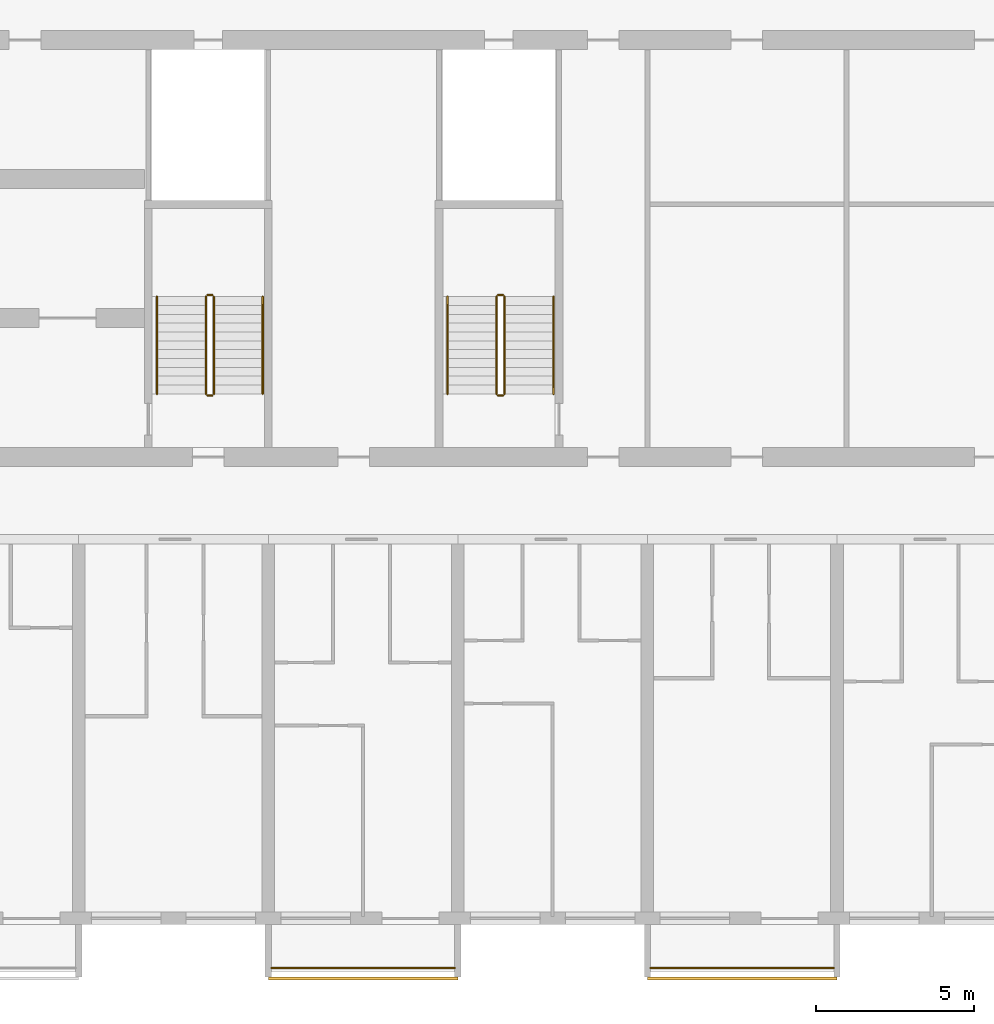
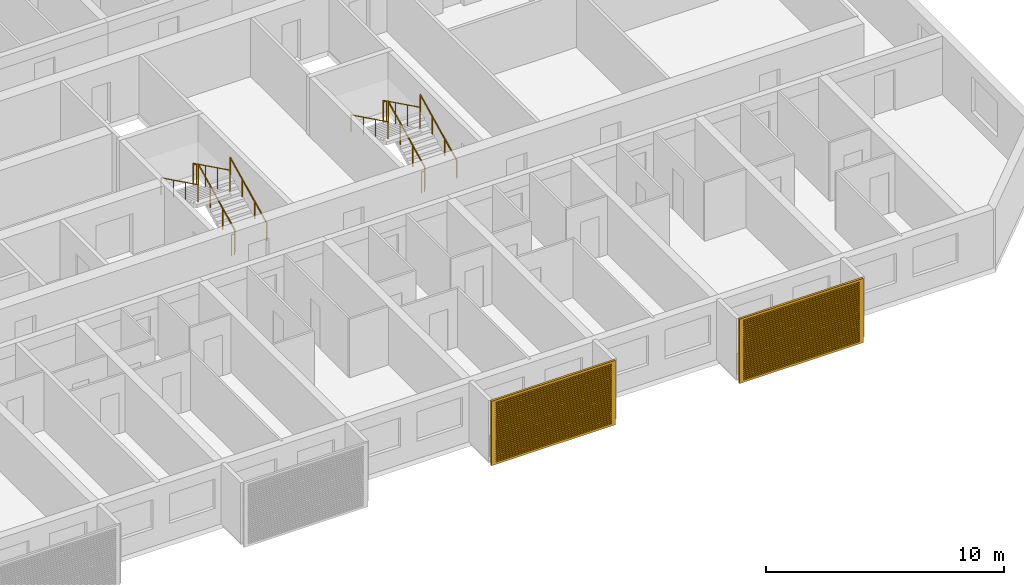
# One storey, part 30 of 38: 14 railings, 2 shading devices.
"""IFC4 building model written with IfcOpenShell, lengths in metres."""

from ifc_helpers import new_model, si_unit, direction, frame, origin, origin_2d, place, context, subcontext, project, spatial, polyline, circle, outline, extrude, source, transform, mapped, material, material_profile, profile_set, type_object, element, save


model = new_model("IFC4")

# Units and contexts
model_context = context("Model", 3, precision=1e-05, world=origin(), true_north=direction((0.0, 1.0)))
body_context = subcontext(model_context, "Body", "Model", "MODEL_VIEW")
ifc_project = project(units=[si_unit("LENGTHUNIT", "METRE"), si_unit("AREAUNIT", "SQUARE_METRE"), si_unit("VOLUMEUNIT", "CUBIC_METRE"), si_unit("PLANEANGLEUNIT", "RADIAN"), si_unit("MASSUNIT", "GRAM", prefix="KILO")], contexts=[model_context])

# Site, building, storey
site_placement = place(None, origin())
site = spatial("IfcSite", under=ifc_project, at=site_placement, CompositionType="ELEMENT")
building_placement = place(site_placement, origin())
building = spatial("IfcBuilding", under=site, at=building_placement, Name="Poui Terraces", CompositionType="ELEMENT")
storey_placement = place(building_placement, frame((0.0, 0.0, 49.800048828125)))
storey = spatial("IfcBuildingStorey", under=building, at=storey_placement, Name="L13", CompositionType="ELEMENT", Elevation=49.800048828125)

# Railings
ifc_material_1 = material(Name="Painted steel fretwork", Category="steel")
railing_type_1 = type_object("IfcRailingType", Name="BALCONY GUARD 1100", PredefinedType="GUARDRAIL", material=ifc_material_1)
for number, where, name in (
    (1, (72.10009765625, -1.570068359375, 0.0), "BALCONY GUARD"),
    (2, (84.10009765625, -1.570068359375, 0.0), "BALCONY GUARD"),
):
    element("IfcRailing", number, at=place(storey_placement, frame(where)), inside=storey, type_object=railing_type_1, Name=name, PredefinedType="GUARDRAIL", context=body_context, shape_type="SweptSolid", body=[
        extrude(circle(Radius=0.02392578125, at=origin_2d()), frame((0.0, 0.0, 1.076171875), z_axis=(1.0, 0.0, 0.0), x_axis=(0.0, 1.0, 0.0)), (0.0, 0.0, 1.0), 5.7998046875),
        extrude(circle(Radius=0.02099609375, at=origin_2d()), origin(), (0.0, 0.0, 1.0), 1.052001953125),
        extrude(circle(Radius=0.02099609375, at=origin_2d()), frame((0.966552734375, 0.0, 0.0)), (0.0, 0.0, 1.0), 1.052001953125),
        extrude(circle(Radius=0.02099609375, at=origin_2d()), frame((1.933349609375, 0.0, 0.0)), (0.0, 0.0, 1.0), 1.052001953125),
        extrude(circle(Radius=0.02099609375, at=origin_2d()), frame((2.89990234375, 0.0, 0.0)), (0.0, 0.0, 1.0), 1.052001953125),
        extrude(circle(Radius=0.02099609375, at=origin_2d()), frame((3.866455078125, 0.0, 0.0)), (0.0, 0.0, 1.0), 1.052001953125),
        extrude(circle(Radius=0.02099609375, at=origin_2d()), frame((4.833251953125, 0.0, 0.0)), (0.0, 0.0, 1.0), 1.052001953125),
        extrude(circle(Radius=0.02099609375, at=origin_2d()), frame((5.7998046875, 0.0, 0.0)), (0.0, 0.0, 1.0), 1.052001953125),
    ])
ifc_material_2 = material(Name="Galvanised steel balustrade", Category="steel")
railing_type_2 = type_object("IfcRailingType", Name="STAIR GUARD 1100", PredefinedType="GUARDRAIL", material=ifc_material_2)
railing_1_placement = place(storey_placement, frame((70.27490234375, 16.60009765625, 0.137451171875)))
element("IfcRailing", 3, at=railing_1_placement, inside=storey, type_object=railing_type_2, Name="L13 ST-CE stair guard 1", PredefinedType="GUARDRAIL", context=body_context, shape_type="SweptSolid", body=[
    extrude(circle(Radius=0.02392578125, at=origin_2d()), frame((0.0, 0.0, 1.076171875), z_axis=(0.0, 0.897606190399, 0.440798283751), x_axis=(-1.0, 0.0, 0.0)), (0.0, 0.0, 1.0), 3.43115234375),
    extrude(circle(Radius=0.02099609375, at=origin_2d()), origin(), (0.0, 0.0, 1.0), 1.052001953125),
    extrude(circle(Radius=0.02099609375, at=origin_2d()), frame((0.0, 1.026611328125, 0.504150390625)), (0.0, 0.0, 1.0), 1.052001953125),
    extrude(circle(Radius=0.02099609375, at=origin_2d()), frame((0.0, 2.05322265625, 1.00830078125)), (0.0, 0.0, 1.0), 1.052001953125),
    extrude(circle(Radius=0.02099609375, at=origin_2d()), frame((0.0, 3.079833984375, 1.512451171875)), (0.0, 0.0, 1.0), 1.052001953125),
])
railing_2_placement = place(storey_placement, frame((70.22509765625, 19.72998046875, 1.64990234375)))
element("IfcRailing", 4, at=railing_2_placement, inside=storey, type_object=railing_type_2, Name="L13 ST-CE stair guard 2", PredefinedType="GUARDRAIL", context=body_context, shape_type="SweptSolid", body=[
    extrude(circle(Radius=0.02392578125, at=origin_2d()), frame((0.0, 0.0, 1.076171875), z_axis=(-1.0, 0.0, 0.0), x_axis=(0.0, -1.0, 0.0)), (0.0, 0.0, 1.0), 0.150146484375),
    extrude(circle(Radius=0.02099609375, at=origin_2d()), origin(), (0.0, 0.0, 1.0), 1.052001953125),
    extrude(circle(Radius=0.02099609375, at=origin_2d()), frame((-0.150146484375, 0.0, 0.0)), (0.0, 0.0, 1.0), 1.052001953125),
])
railing_3_placement = place(storey_placement, frame((70.02490234375, 19.679931640625, 1.787353515625)))
element("IfcRailing", 5, at=railing_3_placement, inside=storey, type_object=railing_type_2, Name="L13 ST-CE stair guard 3", PredefinedType="GUARDRAIL", context=body_context, shape_type="SweptSolid", body=[
    extrude(circle(Radius=0.02392578125, at=origin_2d()), frame((0.0, 0.0, 1.076171875), z_axis=(0.0, -0.897578036475, 0.440855609512), x_axis=(1.0, 0.0, 0.0)), (0.0, 0.0, 1.0), 3.43115234375),
    extrude(circle(Radius=0.02099609375, at=origin_2d()), origin(), (0.0, 0.0, 1.0), 1.052001953125),
    extrude(circle(Radius=0.02099609375, at=origin_2d()), frame((0.0, -1.026611328125, 0.504150390625)), (0.0, 0.0, 1.0), 1.052001953125),
    extrude(circle(Radius=0.02099609375, at=origin_2d()), frame((0.0, -2.05322265625, 1.008544921875)), (0.0, 0.0, 1.0), 1.052001953125),
    extrude(circle(Radius=0.02099609375, at=origin_2d()), frame((0.0, -3.079833984375, 1.5126953125)), (0.0, 0.0, 1.0), 1.052001953125),
])
railing_4_placement = place(storey_placement, frame((70.22509765625, 16.550048828125, 0.0)))
element("IfcRailing", 6, at=railing_4_placement, inside=storey, type_object=railing_type_2, Name="L13 ST-CE stair guard 4", PredefinedType="GUARDRAIL", context=body_context, shape_type="SweptSolid", body=[
    extrude(circle(Radius=0.02392578125, at=origin_2d()), frame((0.0, 0.0, 1.076171875), z_axis=(-1.0, 0.0, 0.0), x_axis=(0.0, -1.0, 0.0)), (0.0, 0.0, 1.0), 0.150146484375),
    extrude(circle(Radius=0.02099609375, at=origin_2d()), origin(), (0.0, 0.0, 1.0), 1.052001953125),
    extrude(circle(Radius=0.02099609375, at=origin_2d()), frame((-0.150146484375, 0.0, 0.0)), (0.0, 0.0, 1.0), 1.052001953125),
])
railing_5_placement = place(storey_placement, frame((79.47509765625, 16.60009765625, 0.137451171875)))
element("IfcRailing", 7, at=railing_5_placement, inside=storey, type_object=railing_type_2, Name="L13 ST-E stair guard 1", PredefinedType="GUARDRAIL", context=body_context, shape_type="SweptSolid", body=[
    extrude(circle(Radius=0.02392578125, at=origin_2d()), frame((0.0, 0.0, 1.076171875), z_axis=(0.0, 0.897606190399, 0.440798283751), x_axis=(-1.0, 0.0, 0.0)), (0.0, 0.0, 1.0), 3.43115234375),
    extrude(circle(Radius=0.02099609375, at=origin_2d()), origin(), (0.0, 0.0, 1.0), 1.052001953125),
    extrude(circle(Radius=0.02099609375, at=origin_2d()), frame((0.0, 1.026611328125, 0.504150390625)), (0.0, 0.0, 1.0), 1.052001953125),
    extrude(circle(Radius=0.02099609375, at=origin_2d()), frame((0.0, 2.05322265625, 1.00830078125)), (0.0, 0.0, 1.0), 1.052001953125),
    extrude(circle(Radius=0.02099609375, at=origin_2d()), frame((0.0, 3.079833984375, 1.512451171875)), (0.0, 0.0, 1.0), 1.052001953125),
])
railing_6_placement = place(storey_placement, frame((79.425048828125, 19.72998046875, 1.64990234375)))
element("IfcRailing", 8, at=railing_6_placement, inside=storey, type_object=railing_type_2, Name="L13 ST-E stair guard 2", PredefinedType="GUARDRAIL", context=body_context, shape_type="SweptSolid", body=[
    extrude(circle(Radius=0.02392578125, at=origin_2d()), frame((0.0, 0.0, 1.076171875), z_axis=(-1.0, 0.0, 0.0), x_axis=(0.0, -1.0, 0.0)), (0.0, 0.0, 1.0), 0.150146484375),
    extrude(circle(Radius=0.02099609375, at=origin_2d()), origin(), (0.0, 0.0, 1.0), 1.052001953125),
    extrude(circle(Radius=0.02099609375, at=origin_2d()), frame((-0.150146484375, 0.0, 0.0)), (0.0, 0.0, 1.0), 1.052001953125),
])
railing_7_placement = place(storey_placement, frame((79.22509765625, 19.679931640625, 1.787353515625)))
element("IfcRailing", 9, at=railing_7_placement, inside=storey, type_object=railing_type_2, Name="L13 ST-E stair guard 3", PredefinedType="GUARDRAIL", context=body_context, shape_type="SweptSolid", body=[
    extrude(circle(Radius=0.02392578125, at=origin_2d()), frame((0.0, 0.0, 1.076171875), z_axis=(0.0, -0.897578036475, 0.440855609512), x_axis=(1.0, 0.0, 0.0)), (0.0, 0.0, 1.0), 3.43115234375),
    extrude(circle(Radius=0.02099609375, at=origin_2d()), origin(), (0.0, 0.0, 1.0), 1.052001953125),
    extrude(circle(Radius=0.02099609375, at=origin_2d()), frame((0.0, -1.026611328125, 0.504150390625)), (0.0, 0.0, 1.0), 1.052001953125),
    extrude(circle(Radius=0.02099609375, at=origin_2d()), frame((0.0, -2.05322265625, 1.008544921875)), (0.0, 0.0, 1.0), 1.052001953125),
    extrude(circle(Radius=0.02099609375, at=origin_2d()), frame((0.0, -3.079833984375, 1.5126953125)), (0.0, 0.0, 1.0), 1.052001953125),
])
railing_8_placement = place(storey_placement, frame((79.425048828125, 16.550048828125, 0.0)))
element("IfcRailing", 10, at=railing_8_placement, inside=storey, type_object=railing_type_2, Name="L13 ST-E stair guard 4", PredefinedType="GUARDRAIL", context=body_context, shape_type="SweptSolid", body=[
    extrude(circle(Radius=0.02392578125, at=origin_2d()), frame((0.0, 0.0, 1.076171875), z_axis=(-1.0, 0.0, 0.0), x_axis=(0.0, -1.0, 0.0)), (0.0, 0.0, 1.0), 0.150146484375),
    extrude(circle(Radius=0.02099609375, at=origin_2d()), origin(), (0.0, 0.0, 1.0), 1.052001953125),
    extrude(circle(Radius=0.02099609375, at=origin_2d()), frame((-0.150146484375, 0.0, 0.0)), (0.0, 0.0, 1.0), 1.052001953125),
])
ifc_material_3 = material(Name="Stainless steel handrail", Category="steel")
railing_type_3 = type_object("IfcRailingType", Name="STAIR HANDRAIL 900", PredefinedType="HANDRAIL", material=ifc_material_3)
railing_9_placement = place(storey_placement, frame((71.824951171875, 16.60009765625, 0.137451171875)))
element("IfcRailing", 11, at=railing_9_placement, inside=storey, type_object=railing_type_3, Name="L13 ST-CE stair handrail 1", PredefinedType="HANDRAIL", context=body_context, shape_type="SweptSolid", body=[
    extrude(circle(Radius=0.02392578125, at=origin_2d()), frame((0.0, 0.0, 0.8759765625), z_axis=(0.0, 0.897606190399, 0.440798283751), x_axis=(-1.0, 0.0, 0.0)), (0.0, 0.0, 1.0), 3.43115234375),
    extrude(circle(Radius=0.02099609375, at=origin_2d()), origin(), (0.0, 0.0, 1.0), 0.851806640625),
    extrude(circle(Radius=0.02099609375, at=origin_2d()), frame((0.0, 1.026611328125, 0.504150390625)), (0.0, 0.0, 1.0), 0.851806640625),
    extrude(circle(Radius=0.02099609375, at=origin_2d()), frame((0.0, 2.05322265625, 1.00830078125)), (0.0, 0.0, 1.0), 0.851806640625),
    extrude(circle(Radius=0.02099609375, at=origin_2d()), frame((0.0, 3.079833984375, 1.512451171875)), (0.0, 0.0, 1.0), 0.851806640625),
])
railing_10_placement = place(storey_placement, frame((68.47509765625, 19.679931640625, 1.787353515625)))
element("IfcRailing", 12, at=railing_10_placement, inside=storey, type_object=railing_type_3, Name="L13 ST-CE stair handrail 2", PredefinedType="HANDRAIL", context=body_context, shape_type="SweptSolid", body=[
    extrude(circle(Radius=0.02392578125, at=origin_2d()), frame((0.0, 0.0, 0.8759765625), z_axis=(0.0, -0.897578036475, 0.440855609512), x_axis=(1.0, 0.0, 0.0)), (0.0, 0.0, 1.0), 3.43115234375),
    extrude(circle(Radius=0.02099609375, at=origin_2d()), origin(), (0.0, 0.0, 1.0), 0.851806640625),
    extrude(circle(Radius=0.02099609375, at=origin_2d()), frame((0.0, -1.026611328125, 0.504150390625)), (0.0, 0.0, 1.0), 0.851806640625),
    extrude(circle(Radius=0.02099609375, at=origin_2d()), frame((0.0, -2.05322265625, 1.008544921875)), (0.0, 0.0, 1.0), 0.851806640625),
    extrude(circle(Radius=0.02099609375, at=origin_2d()), frame((0.0, -3.079833984375, 1.5126953125)), (0.0, 0.0, 1.0), 0.851806640625),
])
railing_11_placement = place(storey_placement, frame((81.02490234375, 16.60009765625, 0.137451171875)))
element("IfcRailing", 13, at=railing_11_placement, inside=storey, type_object=railing_type_3, Name="L13 ST-E stair handrail 1", PredefinedType="HANDRAIL", context=body_context, shape_type="SweptSolid", body=[
    extrude(circle(Radius=0.02392578125, at=origin_2d()), frame((0.0, 0.0, 0.8759765625), z_axis=(0.0, 0.897606190399, 0.440798283751), x_axis=(-1.0, 0.0, 0.0)), (0.0, 0.0, 1.0), 3.43115234375),
    extrude(circle(Radius=0.02099609375, at=origin_2d()), origin(), (0.0, 0.0, 1.0), 0.851806640625),
    extrude(circle(Radius=0.02099609375, at=origin_2d()), frame((0.0, 1.026611328125, 0.504150390625)), (0.0, 0.0, 1.0), 0.851806640625),
    extrude(circle(Radius=0.02099609375, at=origin_2d()), frame((0.0, 2.05322265625, 1.00830078125)), (0.0, 0.0, 1.0), 0.851806640625),
    extrude(circle(Radius=0.02099609375, at=origin_2d()), frame((0.0, 3.079833984375, 1.512451171875)), (0.0, 0.0, 1.0), 0.851806640625),
])
railing_12_placement = place(storey_placement, frame((77.675048828125, 19.679931640625, 1.787353515625)))
element("IfcRailing", 14, at=railing_12_placement, inside=storey, type_object=railing_type_3, Name="L13 ST-E stair handrail 2", PredefinedType="HANDRAIL", context=body_context, shape_type="SweptSolid", body=[
    extrude(circle(Radius=0.02392578125, at=origin_2d()), frame((0.0, 0.0, 0.8759765625), z_axis=(0.0, -0.897578036475, 0.440855609512), x_axis=(1.0, 0.0, 0.0)), (0.0, 0.0, 1.0), 3.43115234375),
    extrude(circle(Radius=0.02099609375, at=origin_2d()), origin(), (0.0, 0.0, 1.0), 0.851806640625),
    extrude(circle(Radius=0.02099609375, at=origin_2d()), frame((0.0, -1.026611328125, 0.504150390625)), (0.0, 0.0, 1.0), 0.851806640625),
    extrude(circle(Radius=0.02099609375, at=origin_2d()), frame((0.0, -2.05322265625, 1.008544921875)), (0.0, 0.0, 1.0), 0.851806640625),
    extrude(circle(Radius=0.02099609375, at=origin_2d()), frame((0.0, -3.079833984375, 1.5126953125)), (0.0, 0.0, 1.0), 0.851806640625),
])

# Shading devices
ifc_material_4 = material(Name="Aluminium louvre", Category="aluminium")
ifc_material_profile = material_profile(ifc_material_4, outline(polyline([(-3.0, -1.64990234375), (3.0, -1.64990234375), (3.0, 1.64990234375), (-3.0, 1.64990234375), (-3.0, -1.64990234375)]), holes=[polyline([(-2.800048828125, -1.530029296875), (2.800048828125, -1.530029296875), (2.800048828125, -1.469970703125), (-2.800048828125, -1.469970703125), (-2.800048828125, -1.530029296875)]), polyline([(-2.800048828125, -1.429931640625), (2.800048828125, -1.429931640625), (2.800048828125, -1.3701171875), (-2.800048828125, -1.3701171875), (-2.800048828125, -1.429931640625)]), polyline([(-2.800048828125, -1.330078125), (2.800048828125, -1.330078125), (2.800048828125, -1.27001953125), (-2.800048828125, -1.27001953125), (-2.800048828125, -1.330078125)]), polyline([(-2.800048828125, -1.22998046875), (2.800048828125, -1.22998046875), (2.800048828125, -1.169921875), (-2.800048828125, -1.169921875), (-2.800048828125, -1.22998046875)]), polyline([(-2.800048828125, -1.1298828125), (2.800048828125, -1.1298828125), (2.800048828125, -1.070068359375), (-2.800048828125, -1.070068359375), (-2.800048828125, -1.1298828125)]), polyline([(-2.800048828125, -1.030029296875), (2.800048828125, -1.030029296875), (2.800048828125, -0.969970703125), (-2.800048828125, -0.969970703125), (-2.800048828125, -1.030029296875)]), polyline([(-2.800048828125, -0.929931640625), (2.800048828125, -0.929931640625), (2.800048828125, -0.8701171875), (-2.800048828125, -0.8701171875), (-2.800048828125, -0.929931640625)]), polyline([(-2.800048828125, -0.830078125), (2.800048828125, -0.830078125), (2.800048828125, -0.77001953125), (-2.800048828125, -0.77001953125), (-2.800048828125, -0.830078125)]), polyline([(-2.800048828125, -0.72998046875), (2.800048828125, -0.72998046875), (2.800048828125, -0.669921875), (-2.800048828125, -0.669921875), (-2.800048828125, -0.72998046875)]), polyline([(-2.800048828125, -0.6298828125), (2.800048828125, -0.6298828125), (2.800048828125, -0.570068359375), (-2.800048828125, -0.570068359375), (-2.800048828125, -0.6298828125)]), polyline([(-2.800048828125, -0.530029296875), (2.800048828125, -0.530029296875), (2.800048828125, -0.469970703125), (-2.800048828125, -0.469970703125), (-2.800048828125, -0.530029296875)]), polyline([(-2.800048828125, -0.429931640625), (2.800048828125, -0.429931640625), (2.800048828125, -0.3701171875), (-2.800048828125, -0.3701171875), (-2.800048828125, -0.429931640625)]), polyline([(-2.800048828125, -0.330078125), (2.800048828125, -0.330078125), (2.800048828125, -0.27001953125), (-2.800048828125, -0.27001953125), (-2.800048828125, -0.330078125)]), polyline([(-2.800048828125, -0.22998046875), (2.800048828125, -0.22998046875), (2.800048828125, -0.169921875), (-2.800048828125, -0.169921875), (-2.800048828125, -0.22998046875)]), polyline([(-2.800048828125, -0.1298828125), (2.800048828125, -0.1298828125), (2.800048828125, -0.070068359375), (-2.800048828125, -0.070068359375), (-2.800048828125, -0.1298828125)]), polyline([(-2.800048828125, -0.030029296875), (2.800048828125, -0.030029296875), (2.800048828125, 0.030029296875), (-2.800048828125, 0.030029296875), (-2.800048828125, -0.030029296875)]), polyline([(-2.800048828125, 0.070068359375), (2.800048828125, 0.070068359375), (2.800048828125, 0.1298828125), (-2.800048828125, 0.1298828125), (-2.800048828125, 0.070068359375)]), polyline([(-2.800048828125, 0.169921875), (2.800048828125, 0.169921875), (2.800048828125, 0.22998046875), (-2.800048828125, 0.22998046875), (-2.800048828125, 0.169921875)]), polyline([(-2.800048828125, 0.27001953125), (2.800048828125, 0.27001953125), (2.800048828125, 0.330078125), (-2.800048828125, 0.330078125), (-2.800048828125, 0.27001953125)]), polyline([(-2.800048828125, 0.3701171875), (2.800048828125, 0.3701171875), (2.800048828125, 0.429931640625), (-2.800048828125, 0.429931640625), (-2.800048828125, 0.3701171875)]), polyline([(-2.800048828125, 0.469970703125), (2.800048828125, 0.469970703125), (2.800048828125, 0.530029296875), (-2.800048828125, 0.530029296875), (-2.800048828125, 0.469970703125)]), polyline([(-2.800048828125, 0.570068359375), (2.800048828125, 0.570068359375), (2.800048828125, 0.6298828125), (-2.800048828125, 0.6298828125), (-2.800048828125, 0.570068359375)]), polyline([(-2.800048828125, 0.669921875), (2.800048828125, 0.669921875), (2.800048828125, 0.72998046875), (-2.800048828125, 0.72998046875), (-2.800048828125, 0.669921875)]), polyline([(-2.800048828125, 0.77001953125), (2.800048828125, 0.77001953125), (2.800048828125, 0.830078125), (-2.800048828125, 0.830078125), (-2.800048828125, 0.77001953125)]), polyline([(-2.800048828125, 0.8701171875), (2.800048828125, 0.8701171875), (2.800048828125, 0.929931640625), (-2.800048828125, 0.929931640625), (-2.800048828125, 0.8701171875)]), polyline([(-2.800048828125, 0.969970703125), (2.800048828125, 0.969970703125), (2.800048828125, 1.030029296875), (-2.800048828125, 1.030029296875), (-2.800048828125, 0.969970703125)]), polyline([(-2.800048828125, 1.070068359375), (2.800048828125, 1.070068359375), (2.800048828125, 1.1298828125), (-2.800048828125, 1.1298828125), (-2.800048828125, 1.070068359375)]), polyline([(-2.800048828125, 1.169921875), (2.800048828125, 1.169921875), (2.800048828125, 1.22998046875), (-2.800048828125, 1.22998046875), (-2.800048828125, 1.169921875)]), polyline([(-2.800048828125, 1.27001953125), (2.800048828125, 1.27001953125), (2.800048828125, 1.330078125), (-2.800048828125, 1.330078125), (-2.800048828125, 1.27001953125)]), polyline([(-2.800048828125, 1.3701171875), (2.800048828125, 1.3701171875), (2.800048828125, 1.429931640625), (-2.800048828125, 1.429931640625), (-2.800048828125, 1.3701171875)]), polyline([(-2.800048828125, 1.469970703125), (2.800048828125, 1.469970703125), (2.800048828125, 1.530029296875), (-2.800048828125, 1.530029296875), (-2.800048828125, 1.469970703125)])]), Name="JALOUSIE LOUVRE SHUTTER 6000X3300")
ifc_profile_set = profile_set([ifc_material_profile], Name="Aluminium louvre")
shading_device_type = type_object("IfcShadingDeviceType", Name="JALOUSIE LOUVRE SHUTTER 6000X3300", PredefinedType="JALOUSIE", material=ifc_profile_set)
shared_shape = source(origin(), body_context, "Body", "SweptSolid", [
    extrude(outline(polyline([(-3.0, -1.64990234375), (3.0, -1.64990234375), (3.0, 1.64990234375), (-3.0, 1.64990234375), (-3.0, -1.64990234375)]), holes=[polyline([(-2.800048828125, -1.530029296875), (2.800048828125, -1.530029296875), (2.800048828125, -1.469970703125), (-2.800048828125, -1.469970703125), (-2.800048828125, -1.530029296875)]), polyline([(-2.800048828125, -1.429931640625), (2.800048828125, -1.429931640625), (2.800048828125, -1.3701171875), (-2.800048828125, -1.3701171875), (-2.800048828125, -1.429931640625)]), polyline([(-2.800048828125, -1.330078125), (2.800048828125, -1.330078125), (2.800048828125, -1.27001953125), (-2.800048828125, -1.27001953125), (-2.800048828125, -1.330078125)]), polyline([(-2.800048828125, -1.22998046875), (2.800048828125, -1.22998046875), (2.800048828125, -1.169921875), (-2.800048828125, -1.169921875), (-2.800048828125, -1.22998046875)]), polyline([(-2.800048828125, -1.1298828125), (2.800048828125, -1.1298828125), (2.800048828125, -1.070068359375), (-2.800048828125, -1.070068359375), (-2.800048828125, -1.1298828125)]), polyline([(-2.800048828125, -1.030029296875), (2.800048828125, -1.030029296875), (2.800048828125, -0.969970703125), (-2.800048828125, -0.969970703125), (-2.800048828125, -1.030029296875)]), polyline([(-2.800048828125, -0.929931640625), (2.800048828125, -0.929931640625), (2.800048828125, -0.8701171875), (-2.800048828125, -0.8701171875), (-2.800048828125, -0.929931640625)]), polyline([(-2.800048828125, -0.830078125), (2.800048828125, -0.830078125), (2.800048828125, -0.77001953125), (-2.800048828125, -0.77001953125), (-2.800048828125, -0.830078125)]), polyline([(-2.800048828125, -0.72998046875), (2.800048828125, -0.72998046875), (2.800048828125, -0.669921875), (-2.800048828125, -0.669921875), (-2.800048828125, -0.72998046875)]), polyline([(-2.800048828125, -0.6298828125), (2.800048828125, -0.6298828125), (2.800048828125, -0.570068359375), (-2.800048828125, -0.570068359375), (-2.800048828125, -0.6298828125)]), polyline([(-2.800048828125, -0.530029296875), (2.800048828125, -0.530029296875), (2.800048828125, -0.469970703125), (-2.800048828125, -0.469970703125), (-2.800048828125, -0.530029296875)]), polyline([(-2.800048828125, -0.429931640625), (2.800048828125, -0.429931640625), (2.800048828125, -0.3701171875), (-2.800048828125, -0.3701171875), (-2.800048828125, -0.429931640625)]), polyline([(-2.800048828125, -0.330078125), (2.800048828125, -0.330078125), (2.800048828125, -0.27001953125), (-2.800048828125, -0.27001953125), (-2.800048828125, -0.330078125)]), polyline([(-2.800048828125, -0.22998046875), (2.800048828125, -0.22998046875), (2.800048828125, -0.169921875), (-2.800048828125, -0.169921875), (-2.800048828125, -0.22998046875)]), polyline([(-2.800048828125, -0.1298828125), (2.800048828125, -0.1298828125), (2.800048828125, -0.070068359375), (-2.800048828125, -0.070068359375), (-2.800048828125, -0.1298828125)]), polyline([(-2.800048828125, -0.030029296875), (2.800048828125, -0.030029296875), (2.800048828125, 0.030029296875), (-2.800048828125, 0.030029296875), (-2.800048828125, -0.030029296875)]), polyline([(-2.800048828125, 0.070068359375), (2.800048828125, 0.070068359375), (2.800048828125, 0.1298828125), (-2.800048828125, 0.1298828125), (-2.800048828125, 0.070068359375)]), polyline([(-2.800048828125, 0.169921875), (2.800048828125, 0.169921875), (2.800048828125, 0.22998046875), (-2.800048828125, 0.22998046875), (-2.800048828125, 0.169921875)]), polyline([(-2.800048828125, 0.27001953125), (2.800048828125, 0.27001953125), (2.800048828125, 0.330078125), (-2.800048828125, 0.330078125), (-2.800048828125, 0.27001953125)]), polyline([(-2.800048828125, 0.3701171875), (2.800048828125, 0.3701171875), (2.800048828125, 0.429931640625), (-2.800048828125, 0.429931640625), (-2.800048828125, 0.3701171875)]), polyline([(-2.800048828125, 0.469970703125), (2.800048828125, 0.469970703125), (2.800048828125, 0.530029296875), (-2.800048828125, 0.530029296875), (-2.800048828125, 0.469970703125)]), polyline([(-2.800048828125, 0.570068359375), (2.800048828125, 0.570068359375), (2.800048828125, 0.6298828125), (-2.800048828125, 0.6298828125), (-2.800048828125, 0.570068359375)]), polyline([(-2.800048828125, 0.669921875), (2.800048828125, 0.669921875), (2.800048828125, 0.72998046875), (-2.800048828125, 0.72998046875), (-2.800048828125, 0.669921875)]), polyline([(-2.800048828125, 0.77001953125), (2.800048828125, 0.77001953125), (2.800048828125, 0.830078125), (-2.800048828125, 0.830078125), (-2.800048828125, 0.77001953125)]), polyline([(-2.800048828125, 0.8701171875), (2.800048828125, 0.8701171875), (2.800048828125, 0.929931640625), (-2.800048828125, 0.929931640625), (-2.800048828125, 0.8701171875)]), polyline([(-2.800048828125, 0.969970703125), (2.800048828125, 0.969970703125), (2.800048828125, 1.030029296875), (-2.800048828125, 1.030029296875), (-2.800048828125, 0.969970703125)]), polyline([(-2.800048828125, 1.070068359375), (2.800048828125, 1.070068359375), (2.800048828125, 1.1298828125), (-2.800048828125, 1.1298828125), (-2.800048828125, 1.070068359375)]), polyline([(-2.800048828125, 1.169921875), (2.800048828125, 1.169921875), (2.800048828125, 1.22998046875), (-2.800048828125, 1.22998046875), (-2.800048828125, 1.169921875)]), polyline([(-2.800048828125, 1.27001953125), (2.800048828125, 1.27001953125), (2.800048828125, 1.330078125), (-2.800048828125, 1.330078125), (-2.800048828125, 1.27001953125)]), polyline([(-2.800048828125, 1.3701171875), (2.800048828125, 1.3701171875), (2.800048828125, 1.429931640625), (-2.800048828125, 1.429931640625), (-2.800048828125, 1.3701171875)]), polyline([(-2.800048828125, 1.469970703125), (2.800048828125, 1.469970703125), (2.800048828125, 1.530029296875), (-2.800048828125, 1.530029296875), (-2.800048828125, 1.469970703125)])]), origin(), (0.0, 0.0, 1.0), 0.099853515625),
])
for number, where, z_axis, x_axis, name in (
    (15, (75.0, -1.85009765625, 1.449951171875), (0.0, -1.0, 0.0), (1.0, 0.0, 0.0), "JALOUSIE LOUVRE SHUTTER"),
    (16, (87.0, -1.85009765625, 1.449951171875), (0.0, -1.0, 0.0), (1.0, 0.0, 0.0), "JALOUSIE LOUVRE SHUTTER"),
):
    element("IfcShadingDevice", number, at=place(storey_placement, frame(where, z_axis=z_axis, x_axis=x_axis)), inside=storey, type_object=shading_device_type, Name=name, PredefinedType="JALOUSIE", context=body_context, shape_type="MappedRepresentation", body=[
        mapped(shared_shape, transform((0.0, 0.0, 0.0))),
    ])

save(model, "model.ifc")
